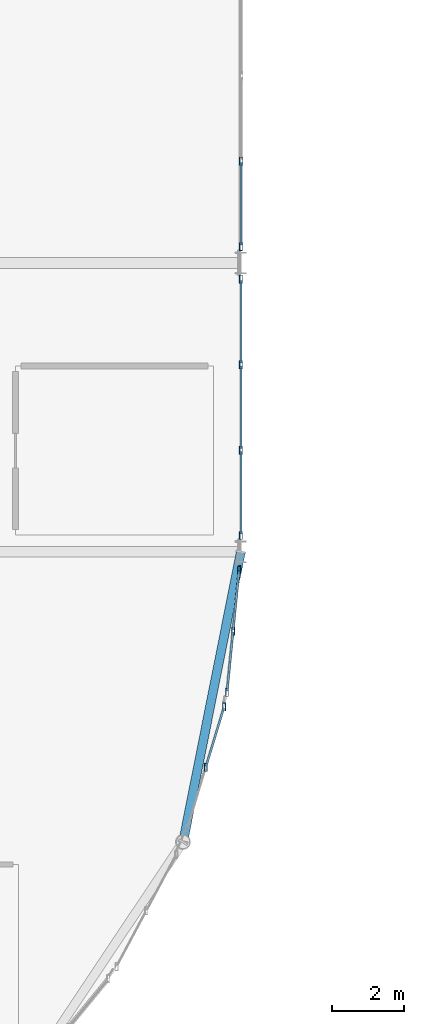
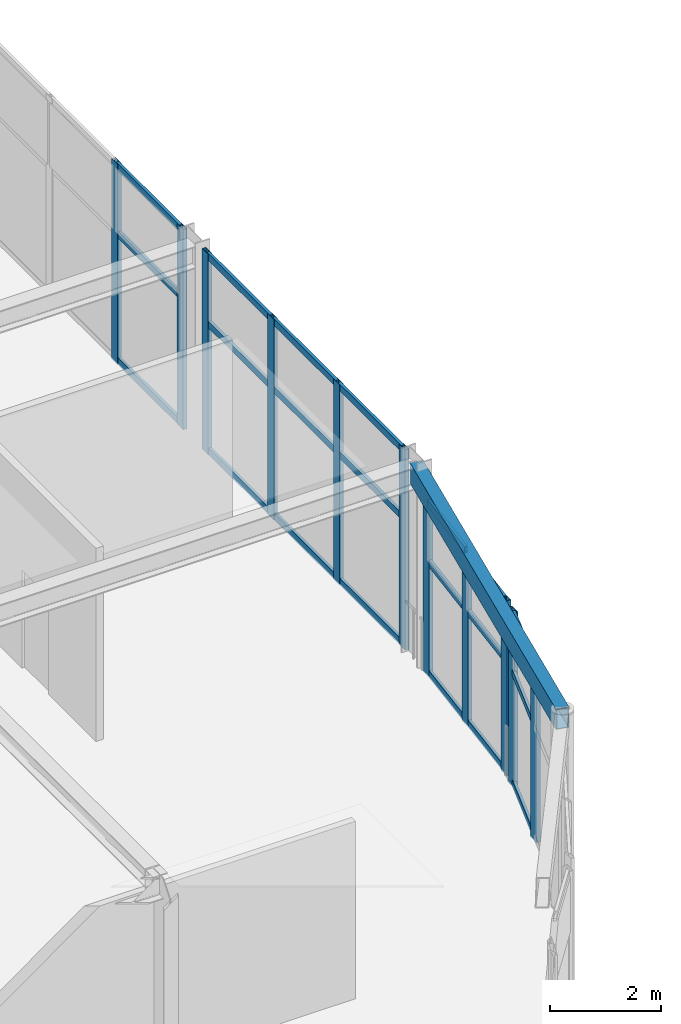
# One storey, part 39 of 105: 32 members, 1 beam, 4 elements without a shape of their own.
"""IFC4 building model written with IfcOpenShell, lengths in metres."""

import ifcopenshell
import ifcopenshell.guid

model = None  # the IFC model being written
_history = None  # IfcOwnerHistory: only IFC2X3 demands one
_inside = {}  # id of a spatial element -> (the spatial element, [elements in it])
_under = {}  # id of a project, library or spatial element -> (it, [spatial elements below it])
_declared = {}  # id of a project -> (the project, [libraries it declares])
_typed = {}  # id of a type object -> (the type object, [elements of that type])
_made_of = {}  # id of a material, layer set ... -> (it, [elements and type objects made of it])


def new_model(schema):
    """Start an empty IFC model of exactly this schema.

    Asked for "IFC4X3", IfcOpenShell would pick the latest addendum, in which some entities
    have other attributes; the version numbers below select the first issue.
    IFC2X3 requires an IfcOwnerHistory on every rooted entity: one is made here for all.
    """
    global model, _history
    if schema == "IFC4X3":
        model = ifcopenshell.file(schema_version=(4, 3, 0, 0))
    else:
        model = ifcopenshell.file(schema=schema)
    _inside.clear()
    _under.clear()
    _declared.clear()
    _typed.clear()
    _made_of.clear()
    _history = None
    if model.schema == "IFC2X3":
        org = make("IfcOrganization", Name="unknown")
        user = make(
            "IfcPersonAndOrganization",
            ThePerson=make("IfcPerson", FamilyName="unknown"),
            TheOrganization=org,
        )
        app = make(
            "IfcApplication",
            ApplicationDeveloper=org,
            Version="unknown",
            ApplicationFullName="unknown",
            ApplicationIdentifier="unknown",
        )
        _history = make(
            "IfcOwnerHistory",
            OwningUser=user,
            OwningApplication=app,
            ChangeAction="ADDED",
            CreationDate=0,
        )
    return model


def make(cls, **values):
    """One entity of the class cls with the attributes given. An attribute that is None is left unset."""
    return model.create_entity(
        cls, **{name: value for name, value in values.items() if value is not None}
    )


def rooted(cls, **values):
    """An entity with a GlobalId (a new one), such as an element, a storey or a relation."""
    return make(cls, GlobalId=ifcopenshell.guid.new(), OwnerHistory=_history, **values)


def si_unit(unit_type, name, prefix=None):
    """IfcSIUnit, for example si_unit("LENGTHUNIT", "METRE", prefix="MILLI")."""
    return make("IfcSIUnit", UnitType=unit_type, Prefix=prefix, Name=name)


def assignment(units):
    """IfcUnitAssignment: the units of a project."""
    return None if units is None else make("IfcUnitAssignment", Units=units)


def point(xyz):
    """IfcCartesianPoint."""
    return None if xyz is None else make("IfcCartesianPoint", Coordinates=xyz)


def direction(xyz):
    """IfcDirection."""
    return None if xyz is None else make("IfcDirection", DirectionRatios=xyz)


def frame(location, z_axis=None, x_axis=None):
    """IfcAxis2Placement3D, a coordinate frame: its origin and axes. An axis left out is left unset."""
    return make(
        "IfcAxis2Placement3D",
        Location=point(location),
        Axis=direction(z_axis),
        RefDirection=direction(x_axis),
    )


def frame_2d(location, x_axis=None):
    """IfcAxis2Placement2D, a coordinate frame in the plane: its origin and x axis."""
    return make(
        "IfcAxis2Placement2D", Location=point(location), RefDirection=direction(x_axis)
    )


def origin():
    """The frame at (0, 0, 0) with its axes left unset."""
    return frame((0.0, 0.0, 0.0))


def origin_2d():
    """The frame at (0, 0) in the plane with its x axis left unset."""
    return frame_2d((0.0, 0.0))


def place(relative_to, where):
    """IfcLocalPlacement: puts the frame where relative to a parent placement (None: the world)."""
    return make(
        "IfcLocalPlacement", PlacementRelTo=relative_to, RelativePlacement=where
    )


def context(
    kind, dimensions, precision=None, world=None, true_north=None, identifier=None
):
    """IfcGeometricRepresentationContext, for example the 3D "Model" context."""
    return make(
        "IfcGeometricRepresentationContext",
        ContextIdentifier=identifier,
        ContextType=kind,
        CoordinateSpaceDimension=dimensions,
        Precision=precision,
        WorldCoordinateSystem=world,
        TrueNorth=true_north,
    )


def subcontext(parent, identifier, kind, view, scale=None):
    """IfcGeometricRepresentationSubContext, for example "Body" below "Model"."""
    return make(
        "IfcGeometricRepresentationSubContext",
        ContextIdentifier=identifier,
        ContextType=kind,
        ParentContext=parent,
        TargetScale=scale,
        TargetView=view,
    )


def project(units=None, contexts=None):
    """IfcProject with its units and contexts."""
    return rooted(
        "IfcProject",
        Name="project",
        RepresentationContexts=contexts,
        UnitsInContext=assignment(units),
    )


def spatial(cls, under=None, at=None, **own):
    """A site, building, storey or space (cls), placed at a placement, below another one or the project."""
    s = rooted(cls, ObjectPlacement=at, **own)
    if under is not None:
        _under.setdefault(under.id(), (under, []))[1].append(s)
    return s


def profile(cls, at=None, kind="AREA", **sizes):
    """A parametric profile (cls). Its sizes go by their IFC names, for example OverallWidth=200.0."""
    return make(cls, ProfileType=kind, Position=at, **sizes)


def hollow_rectangle(**sizes):
    """IfcRectangleHollowProfileDef."""
    return profile("IfcRectangleHollowProfileDef", **sizes)


def extrude(swept, where, along, depth):
    """IfcExtrudedAreaSolid: the profile swept, set in the frame where, extruded along a direction by depth."""
    return make(
        "IfcExtrudedAreaSolid",
        SweptArea=swept,
        Position=where,
        ExtrudedDirection=direction(along),
        Depth=depth,
    )


def shape(context_of_items, identifier, shape_type, items):
    """IfcShapeRepresentation: the items that make up one representation, for example the "Body"."""
    return make(
        "IfcShapeRepresentation",
        ContextOfItems=context_of_items,
        RepresentationIdentifier=identifier,
        RepresentationType=shape_type,
        Items=items,
    )


def material(Name=None, Category=None):
    """IfcMaterial."""
    return make("IfcMaterial", Name=Name, Category=Category)


def layer(
    of_material, thickness, ventilated=None, Name=None, Category=None, Priority=None
):
    """IfcMaterialLayer: one layer of a wall or slab, of a material (None: an air gap)."""
    return make(
        "IfcMaterialLayer",
        Material=of_material,
        LayerThickness=thickness,
        IsVentilated=ventilated,
        Name=Name,
        Category=Category,
        Priority=Priority,
    )


def layer_set(layers, Name=None):
    """IfcMaterialLayerSet."""
    return make("IfcMaterialLayerSet", MaterialLayers=layers, LayerSetName=Name)


def material_profile(
    of_material, cross_section, Name=None, Category=None, Priority=None
):
    """IfcMaterialProfile: a cross section and its material."""
    return make(
        "IfcMaterialProfile",
        Name=Name,
        Material=of_material,
        Profile=cross_section,
        Priority=Priority,
        Category=Category,
    )


def profile_set(profiles, Name=None, composite=None):
    """IfcMaterialProfileSet."""
    return make(
        "IfcMaterialProfileSet",
        Name=Name,
        MaterialProfiles=profiles,
        CompositeProfile=composite,
    )


def made_of(thing, what):
    """Note that an element or type object is made of a material, layer set ...; save() writes the relation."""
    if what is not None:
        _made_of.setdefault(what.id(), (what, []))[1].append(thing)
    return thing


def type_object(cls, material=None, **own):
    """A type object (cls), such as IfcWallType, which elements share."""
    return made_of(rooted(cls, **own), material)


def element(
    cls,
    number,
    at=None,
    inside=None,
    cuts=None,
    type_object=None,
    material=None,
    context=None,
    identifier="Body",
    shape_type=None,
    held_by="IfcProductDefinitionShape",
    body=None,
    shapes=None,
    **own,
):
    """One element of the class cls, such as IfcWall. Its Tag is "e" and its number.

    at: its placement. inside: the storey or other place that contains it. cuts: it is an
    opening in that element (IfcRelVoidsElement). A single representation is given by context,
    identifier, shape_type and body (its items); several are given by shapes. held_by: the class
    of the entity that holds the representations. save() writes the other relations.
    """
    e = rooted(cls, Tag="e%d" % number, ObjectPlacement=at, **own)
    if body is not None:
        shapes = [shape(context, identifier, shape_type, body)]
    if shapes is not None:
        e.Representation = make(held_by, Representations=shapes)
    if inside is not None:
        _inside.setdefault(inside.id(), (inside, []))[1].append(e)
    if cuts is not None:
        rooted(
            "IfcRelVoidsElement", RelatingBuildingElement=cuts, RelatedOpeningElement=e
        )
    if type_object is not None:
        _typed.setdefault(type_object.id(), (type_object, []))[1].append(e)
    return made_of(e, material)


def aggregate(whole, parts):
    """IfcRelAggregates: a whole, such as a stair, and the parts it consists of."""
    return rooted("IfcRelAggregates", RelatingObject=whole, RelatedObjects=parts)


def save(model, path):
    """Write the relations noted so far, then the file.

    IfcRelAggregates (storeys below a building ...), IfcRelContainedInSpatialStructure (elements
    in a storey), IfcRelDefinesByType, IfcRelAssociatesMaterial and IfcRelDeclares: one each for
    every whole, place, type object, material and project.
    """
    for whole, parts in _under.values():
        aggregate(whole, parts)
    for where, things in _inside.values():
        rooted(
            "IfcRelContainedInSpatialStructure",
            RelatedElements=things,
            RelatingStructure=where,
        )
    for kind, things in _typed.values():
        rooted("IfcRelDefinesByType", RelatedObjects=things, RelatingType=kind)
    for what, things in _made_of.values():
        rooted("IfcRelAssociatesMaterial", RelatedObjects=things, RelatingMaterial=what)
    for by, libraries in _declared.values():
        rooted("IfcRelDeclares", RelatingContext=by, RelatedDefinitions=libraries)
    model.write(path)


model = new_model("IFC4")

# Units and contexts
model_context = context("Model", 3, precision=1e-05, world=origin(), true_north=direction((0.0, 1.0)))
body_context = subcontext(model_context, "Body", "Model", "MODEL_VIEW")
ifc_project = project(units=[si_unit("LENGTHUNIT", "METRE"), si_unit("AREAUNIT", "SQUARE_METRE"), si_unit("VOLUMEUNIT", "CUBIC_METRE"), si_unit("PLANEANGLEUNIT", "RADIAN"), si_unit("MASSUNIT", "GRAM", prefix="KILO")], contexts=[model_context])

# Site, building, storey
site_placement = place(None, origin())
site = spatial("IfcSite", under=ifc_project, at=site_placement, CompositionType="ELEMENT")
building_placement = place(site_placement, origin())
building = spatial("IfcBuilding", under=site, at=building_placement, Name="Marlcrest Central Station", CompositionType="ELEMENT")
storey_placement = place(building_placement, frame((0.0, 0.0, 15.0)))
storey = spatial("IfcBuildingStorey", under=building, at=storey_placement, Name="L03", CompositionType="ELEMENT", Elevation=15.0)

# Curtain wall, members
ifc_material_1 = material(Name="Anodised aluminium and hurricane laminated glass", Category="aluminium")
ifc_layer = layer(ifc_material_1, 0.219970703125, Name="CW-U1")
ifc_layer_set = layer_set([ifc_layer], Name="Anodised aluminium and hurricane laminated glass")
curtain_wall_type = type_object("IfcCurtainWallType", Name="CW-U1", PredefinedType="USERDEFINED", material=ifc_layer_set)
curtain_wall_1_placement = place(storey_placement, origin())
curtain_wall_1 = element("IfcCurtainWall", 1, at=curtain_wall_1_placement, inside=storey, type_object=curtain_wall_type, Name="cw-L03-0055", ObjectType="UNITISED_CURTAIN_WALL", PredefinedType="USERDEFINED")
ifc_material_2 = material(Name="Anodised aluminium 6063-T6", Category="aluminium")
ifc_material_profile_1 = material_profile(ifc_material_2, hollow_rectangle(XDim=0.080078125, YDim=0.219970703125, WallThickness=0.006103515625, at=origin_2d()), Name="AA-RHS 220x80x6")
ifc_profile_set_1 = profile_set([ifc_material_profile_1], Name="Anodised aluminium 6063-T6")
member_type_1 = type_object("IfcMemberType", Name="ML-01", PredefinedType="MULLION", material=ifc_profile_set_1)
member_1_placement = place(storey_placement, frame((128.5361328125, 18.2060546875, -0.030029296875), z_axis=(0.0, 0.0, 1.0), x_axis=(1.0, 0.0, 0.0)))
member_1 = element("IfcMember", 2, at=member_1_placement, type_object=member_type_1, Name="cw-L03-0055-ml-0", PredefinedType="MULLION", context=body_context, shape_type="SweptSolid", body=[
    extrude(hollow_rectangle(XDim=0.080078125, YDim=0.219970703125, WallThickness=0.006103515625, at=origin_2d()), origin(), (0.0, 0.0, 1.0), 3.860107421875),
])
member_2_placement = place(storey_placement, frame((128.02734375, 16.5283203125, -0.030029296875), z_axis=(0.0, 0.0, 1.0), x_axis=(1.0, 0.0, 0.0)))
member_2 = element("IfcMember", 3, at=member_2_placement, type_object=member_type_1, Name="cw-L03-0055-ml-1", PredefinedType="MULLION", context=body_context, shape_type="SweptSolid", body=[
    extrude(hollow_rectangle(XDim=0.080078125, YDim=0.219970703125, WallThickness=0.006103515625, at=origin_2d()), origin(), (0.0, 0.0, 1.0), 3.860107421875),
])

curtain_wall_2_placement = place(storey_placement, origin())
curtain_wall_2 = element("IfcCurtainWall", 4, at=curtain_wall_2_placement, inside=storey, type_object=curtain_wall_type, Name="cw-L03-0056", ObjectType="UNITISED_CURTAIN_WALL", PredefinedType="USERDEFINED")
member_3_placement = place(storey_placement, frame((128.950927734375, 22.001708984375, -0.030029296875), z_axis=(0.0, 0.0, 1.0), x_axis=(1.0, 0.0, 0.0)))
member_3 = element("IfcMember", 5, at=member_3_placement, type_object=member_type_1, Name="cw-L03-0056-ml-0", PredefinedType="MULLION", context=body_context, shape_type="SweptSolid", body=[
    extrude(hollow_rectangle(XDim=0.080078125, YDim=0.219970703125, WallThickness=0.006103515625, at=origin_2d()), origin(), (0.0, 0.0, 1.0), 3.860107421875),
])
member_4_placement = place(storey_placement, frame((128.783447265625, 20.3046875, -0.030029296875), z_axis=(0.0, 0.0, 1.0), x_axis=(1.0, 0.0, 0.0)))
member_4 = element("IfcMember", 6, at=member_4_placement, type_object=member_type_1, Name="cw-L03-0056-ml-1", PredefinedType="MULLION", context=body_context, shape_type="SweptSolid", body=[
    extrude(hollow_rectangle(XDim=0.080078125, YDim=0.219970703125, WallThickness=0.006103515625, at=origin_2d()), origin(), (0.0, 0.0, 1.0), 3.860107421875),
])
member_5_placement = place(storey_placement, frame((128.6162109375, 18.60791015625, -0.030029296875), z_axis=(0.0, 0.0, 1.0), x_axis=(1.0, 0.0, 0.0)))
member_5 = element("IfcMember", 7, at=member_5_placement, type_object=member_type_1, Name="cw-L03-0056-ml-2", PredefinedType="MULLION", context=body_context, shape_type="SweptSolid", body=[
    extrude(hollow_rectangle(XDim=0.080078125, YDim=0.219970703125, WallThickness=0.006103515625, at=origin_2d()), origin(), (0.0, 0.0, 1.0), 3.860107421875),
])

curtain_wall_3_placement = place(storey_placement, origin())
curtain_wall_3 = element("IfcCurtainWall", 8, at=curtain_wall_3_placement, inside=storey, type_object=curtain_wall_type, Name="cw-L03-0102", ObjectType="UNITISED_CURTAIN_WALL", PredefinedType="USERDEFINED")
member_6_placement = place(storey_placement, frame((129.0, 30.050048828125, -0.030029296875), z_axis=(0.0, 0.0, 1.0), x_axis=(1.0, 0.0, 0.0)))
member_6 = element("IfcMember", 9, at=member_6_placement, type_object=member_type_1, Name="cw-L03-0102-ml-0", PredefinedType="MULLION", context=body_context, shape_type="SweptSolid", body=[
    extrude(hollow_rectangle(XDim=0.080078125, YDim=0.219970703125, WallThickness=0.006103515625, at=origin_2d()), origin(), (0.0, 0.0, 1.0), 4.409912109375),
])
member_7_placement = place(storey_placement, frame((129.0, 27.683349609375, -0.030029296875), z_axis=(0.0, 0.0, 1.0), x_axis=(1.0, 0.0, 0.0)))
member_7 = element("IfcMember", 10, at=member_7_placement, type_object=member_type_1, Name="cw-L03-0102-ml-1", PredefinedType="MULLION", context=body_context, shape_type="SweptSolid", body=[
    extrude(hollow_rectangle(XDim=0.080078125, YDim=0.219970703125, WallThickness=0.006103515625, at=origin_2d()), origin(), (0.0, 0.0, 1.0), 4.409912109375),
])
member_8_placement = place(storey_placement, frame((129.0, 25.316650390625, -0.030029296875), z_axis=(0.0, 0.0, 1.0), x_axis=(1.0, 0.0, 0.0)))
member_8 = element("IfcMember", 11, at=member_8_placement, type_object=member_type_1, Name="cw-L03-0102-ml-2", PredefinedType="MULLION", context=body_context, shape_type="SweptSolid", body=[
    extrude(hollow_rectangle(XDim=0.080078125, YDim=0.219970703125, WallThickness=0.006103515625, at=origin_2d()), origin(), (0.0, 0.0, 1.0), 4.409912109375),
])
member_9_placement = place(storey_placement, frame((129.0, 22.949951171875, -0.030029296875), z_axis=(0.0, 0.0, 1.0), x_axis=(1.0, 0.0, 0.0)))
member_9 = element("IfcMember", 12, at=member_9_placement, type_object=member_type_1, Name="cw-L03-0102-ml-3", PredefinedType="MULLION", context=body_context, shape_type="SweptSolid", body=[
    extrude(hollow_rectangle(XDim=0.080078125, YDim=0.219970703125, WallThickness=0.006103515625, at=origin_2d()), origin(), (0.0, 0.0, 1.0), 4.409912109375),
])

curtain_wall_4_placement = place(storey_placement, origin())
curtain_wall_4 = element("IfcCurtainWall", 13, at=curtain_wall_4_placement, inside=storey, type_object=curtain_wall_type, Name="cw-L03-0106", ObjectType="UNITISED_CURTAIN_WALL", PredefinedType="USERDEFINED")
member_10_placement = place(storey_placement, frame((129.0, 33.316650390625, -0.030029296875), z_axis=(0.0, 0.0, 1.0), x_axis=(1.0, 0.0, 0.0)))
member_10 = element("IfcMember", 14, at=member_10_placement, type_object=member_type_1, Name="cw-L03-0106-ml-2", PredefinedType="MULLION", context=body_context, shape_type="SweptSolid", body=[
    extrude(hollow_rectangle(XDim=0.080078125, YDim=0.219970703125, WallThickness=0.006103515625, at=origin_2d()), origin(), (0.0, 0.0, 1.0), 4.409912109375),
])
member_11_placement = place(storey_placement, frame((129.0, 30.949951171875, -0.030029296875), z_axis=(0.0, 0.0, 1.0), x_axis=(1.0, 0.0, 0.0)))
member_11 = element("IfcMember", 15, at=member_11_placement, type_object=member_type_1, Name="cw-L03-0106-ml-3", PredefinedType="MULLION", context=body_context, shape_type="SweptSolid", body=[
    extrude(hollow_rectangle(XDim=0.080078125, YDim=0.219970703125, WallThickness=0.006103515625, at=origin_2d()), origin(), (0.0, 0.0, 1.0), 4.409912109375),
])

# Beam
ifc_material_3 = material(Name="Steel S355", Category="steel")
ifc_material_profile_2 = material_profile(ifc_material_3, hollow_rectangle(XDim=0.25, YDim=0.449951171875, WallThickness=0.01611328125, at=origin_2d()), Name="RHS 450x250x16")
ifc_profile_set_2 = profile_set([ifc_material_profile_2], Name="Steel S355")
beam_type = type_object("IfcBeamType", Name="SP-02", PredefinedType="SPANDREL", material=ifc_profile_set_2)
beam_placement = place(storey_placement, frame((127.40087890625, 14.464111328125, 4.10009765625), z_axis=(0.19517056122, 0.980769316421, 0.0), x_axis=(-0.980769316421, 0.19517056122, 0.0)))
element("IfcBeam", 16, at=beam_placement, inside=storey, type_object=beam_type, Name="bm-SP-02-L03-01412", PredefinedType="SPANDREL", context=body_context, shape_type="SweptSolid", body=[
    extrude(hollow_rectangle(XDim=0.25, YDim=0.449951171875, WallThickness=0.01611328125, at=origin_2d()), origin(), (0.0, 0.0, 1.0), 8.193359375),
])

# Member
ifc_material_profile_3 = material_profile(ifc_material_2, hollow_rectangle(XDim=0.06005859375, YDim=0.14990234375, WallThickness=0.00390625, at=origin_2d()), Name="AA-RHS 150x60x4")
ifc_profile_set_3 = profile_set([ifc_material_profile_3], Name="Anodised aluminium 6063-T6")
member_type_2 = type_object("IfcMemberType", Name="TR-01", PredefinedType="USERDEFINED", material=ifc_profile_set_3)
member_12_placement = place(storey_placement, frame((128.525146484375, 18.169677734375, 0.0400390625), z_axis=(-0.29025787087, -0.95694846695, 0.0), x_axis=(0.95694846695, -0.29025787087, 0.0)))
member_12 = element("IfcMember", 17, at=member_12_placement, type_object=member_type_2, Name="cw-L03-0055-tr-0-sill", ObjectType="TRANSOM", PredefinedType="USERDEFINED", context=body_context, shape_type="SweptSolid", body=[
    extrude(hollow_rectangle(XDim=0.06005859375, YDim=0.14990234375, WallThickness=0.00390625, at=origin_2d()), origin(), (0.0, 0.0, 1.0), 1.67724609375),
])

member_13_placement = place(storey_placement, frame((128.525146484375, 18.169677734375, 2.469970703125), z_axis=(-0.29025787087, -0.95694846695, 0.0), x_axis=(0.95694846695, -0.29025787087, 0.0)))
member_13 = element("IfcMember", 18, at=member_13_placement, type_object=member_type_2, Name="cw-L03-0055-tr-0-mid", ObjectType="TRANSOM", PredefinedType="USERDEFINED", context=body_context, shape_type="SweptSolid", body=[
    extrude(hollow_rectangle(XDim=0.06005859375, YDim=0.14990234375, WallThickness=0.00390625, at=origin_2d()), origin(), (0.0, 0.0, 1.0), 1.67724609375),
])

member_14_placement = place(storey_placement, frame((128.525146484375, 18.169677734375, 3.760009765625), z_axis=(-0.29025787087, -0.95694846695, 0.0), x_axis=(0.95694846695, -0.29025787087, 0.0)))
member_14 = element("IfcMember", 19, at=member_14_placement, type_object=member_type_2, Name="cw-L03-0055-tr-0-head", ObjectType="TRANSOM", PredefinedType="USERDEFINED", context=body_context, shape_type="SweptSolid", body=[
    extrude(hollow_rectangle(XDim=0.06005859375, YDim=0.14990234375, WallThickness=0.00390625, at=origin_2d()), origin(), (0.0, 0.0, 1.0), 1.67724609375),
])

aggregate(curtain_wall_1, [member_1, member_2, member_12, member_13, member_14])

member_15_placement = place(storey_placement, frame((128.947021484375, 21.9638671875, 0.0400390625), z_axis=(-0.098005057893, -0.995185916614, 0.0), x_axis=(0.995185916614, -0.098005057893, 0.0)))
member_15 = element("IfcMember", 20, at=member_15_placement, type_object=member_type_2, Name="cw-L03-0056-tr-0-sill", ObjectType="TRANSOM", PredefinedType="USERDEFINED", context=body_context, shape_type="SweptSolid", body=[
    extrude(hollow_rectangle(XDim=0.06005859375, YDim=0.14990234375, WallThickness=0.00390625, at=origin_2d()), origin(), (0.0, 0.0, 1.0), 1.629150390625),
])

member_16_placement = place(storey_placement, frame((128.947021484375, 21.9638671875, 2.469970703125), z_axis=(-0.098005057893, -0.995185916614, 0.0), x_axis=(0.995185916614, -0.098005057893, 0.0)))
member_16 = element("IfcMember", 21, at=member_16_placement, type_object=member_type_2, Name="cw-L03-0056-tr-0-mid", ObjectType="TRANSOM", PredefinedType="USERDEFINED", context=body_context, shape_type="SweptSolid", body=[
    extrude(hollow_rectangle(XDim=0.06005859375, YDim=0.14990234375, WallThickness=0.00390625, at=origin_2d()), origin(), (0.0, 0.0, 1.0), 1.629150390625),
])

member_17_placement = place(storey_placement, frame((128.947021484375, 21.9638671875, 3.760009765625), z_axis=(-0.098005057893, -0.995185916614, 0.0), x_axis=(0.995185916614, -0.098005057893, 0.0)))
member_17 = element("IfcMember", 22, at=member_17_placement, type_object=member_type_2, Name="cw-L03-0056-tr-0-head", ObjectType="TRANSOM", PredefinedType="USERDEFINED", context=body_context, shape_type="SweptSolid", body=[
    extrude(hollow_rectangle(XDim=0.06005859375, YDim=0.14990234375, WallThickness=0.00390625, at=origin_2d()), origin(), (0.0, 0.0, 1.0), 1.629150390625),
])

member_18_placement = place(storey_placement, frame((128.77978515625, 20.266845703125, 0.0400390625), z_axis=(-0.0981681098, -0.995169845915, 0.0), x_axis=(0.995169845915, -0.0981681098, 0.0)))
member_18 = element("IfcMember", 23, at=member_18_placement, type_object=member_type_2, Name="cw-L03-0056-tr-1-sill", ObjectType="TRANSOM", PredefinedType="USERDEFINED", context=body_context, shape_type="SweptSolid", body=[
    extrude(hollow_rectangle(XDim=0.06005859375, YDim=0.14990234375, WallThickness=0.00390625, at=origin_2d()), origin(), (0.0, 0.0, 1.0), 1.62890625),
])

member_19_placement = place(storey_placement, frame((128.77978515625, 20.266845703125, 2.469970703125), z_axis=(-0.0981681098, -0.995169845915, 0.0), x_axis=(0.995169845915, -0.0981681098, 0.0)))
member_19 = element("IfcMember", 24, at=member_19_placement, type_object=member_type_2, Name="cw-L03-0056-tr-1-mid", ObjectType="TRANSOM", PredefinedType="USERDEFINED", context=body_context, shape_type="SweptSolid", body=[
    extrude(hollow_rectangle(XDim=0.06005859375, YDim=0.14990234375, WallThickness=0.00390625, at=origin_2d()), origin(), (0.0, 0.0, 1.0), 1.62890625),
])

member_20_placement = place(storey_placement, frame((128.77978515625, 20.266845703125, 3.760009765625), z_axis=(-0.0981681098, -0.995169845915, 0.0), x_axis=(0.995169845915, -0.0981681098, 0.0)))
member_20 = element("IfcMember", 25, at=member_20_placement, type_object=member_type_2, Name="cw-L03-0056-tr-1-head", ObjectType="TRANSOM", PredefinedType="USERDEFINED", context=body_context, shape_type="SweptSolid", body=[
    extrude(hollow_rectangle(XDim=0.06005859375, YDim=0.14990234375, WallThickness=0.00390625, at=origin_2d()), origin(), (0.0, 0.0, 1.0), 1.62890625),
])

aggregate(curtain_wall_2, [member_3, member_4, member_5, member_15, member_16, member_17, member_18, member_19, member_20])

member_21_placement = place(storey_placement, frame((129.0, 30.011962890625, 0.0400390625), z_axis=(0.0, -1.0, 0.0), x_axis=(1.0, 0.0, 0.0)))
member_21 = element("IfcMember", 26, at=member_21_placement, type_object=member_type_2, Name="cw-L03-0102-tr-0-sill", ObjectType="TRANSOM", PredefinedType="USERDEFINED", context=body_context, shape_type="SweptSolid", body=[
    extrude(hollow_rectangle(XDim=0.06005859375, YDim=0.14990234375, WallThickness=0.00390625, at=origin_2d()), origin(), (0.0, 0.0, 1.0), 2.290771484375),
])

member_22_placement = place(storey_placement, frame((129.0, 30.011962890625, 2.827880859375), z_axis=(0.0, -1.0, 0.0), x_axis=(1.0, 0.0, 0.0)))
member_22 = element("IfcMember", 27, at=member_22_placement, type_object=member_type_2, Name="cw-L03-0102-tr-0-mid", ObjectType="TRANSOM", PredefinedType="USERDEFINED", context=body_context, shape_type="SweptSolid", body=[
    extrude(hollow_rectangle(XDim=0.06005859375, YDim=0.14990234375, WallThickness=0.00390625, at=origin_2d()), origin(), (0.0, 0.0, 1.0), 2.290771484375),
])

member_23_placement = place(storey_placement, frame((129.0, 30.011962890625, 4.31005859375), z_axis=(0.0, -1.0, 0.0), x_axis=(1.0, 0.0, 0.0)))
member_23 = element("IfcMember", 28, at=member_23_placement, type_object=member_type_2, Name="cw-L03-0102-tr-0-head", ObjectType="TRANSOM", PredefinedType="USERDEFINED", context=body_context, shape_type="SweptSolid", body=[
    extrude(hollow_rectangle(XDim=0.06005859375, YDim=0.14990234375, WallThickness=0.00390625, at=origin_2d()), origin(), (0.0, 0.0, 1.0), 2.290771484375),
])

member_24_placement = place(storey_placement, frame((129.0, 27.645263671875, 0.0400390625), z_axis=(0.0, -1.0, 0.0), x_axis=(1.0, 0.0, 0.0)))
member_24 = element("IfcMember", 29, at=member_24_placement, type_object=member_type_2, Name="cw-L03-0102-tr-1-sill", ObjectType="TRANSOM", PredefinedType="USERDEFINED", context=body_context, shape_type="SweptSolid", body=[
    extrude(hollow_rectangle(XDim=0.06005859375, YDim=0.14990234375, WallThickness=0.00390625, at=origin_2d()), origin(), (0.0, 0.0, 1.0), 2.29052734375),
])

member_25_placement = place(storey_placement, frame((129.0, 27.645263671875, 2.827880859375), z_axis=(0.0, -1.0, 0.0), x_axis=(1.0, 0.0, 0.0)))
member_25 = element("IfcMember", 30, at=member_25_placement, type_object=member_type_2, Name="cw-L03-0102-tr-1-mid", ObjectType="TRANSOM", PredefinedType="USERDEFINED", context=body_context, shape_type="SweptSolid", body=[
    extrude(hollow_rectangle(XDim=0.06005859375, YDim=0.14990234375, WallThickness=0.00390625, at=origin_2d()), origin(), (0.0, 0.0, 1.0), 2.29052734375),
])

member_26_placement = place(storey_placement, frame((129.0, 27.645263671875, 4.31005859375), z_axis=(0.0, -1.0, 0.0), x_axis=(1.0, 0.0, 0.0)))
member_26 = element("IfcMember", 31, at=member_26_placement, type_object=member_type_2, Name="cw-L03-0102-tr-1-head", ObjectType="TRANSOM", PredefinedType="USERDEFINED", context=body_context, shape_type="SweptSolid", body=[
    extrude(hollow_rectangle(XDim=0.06005859375, YDim=0.14990234375, WallThickness=0.00390625, at=origin_2d()), origin(), (0.0, 0.0, 1.0), 2.29052734375),
])

member_27_placement = place(storey_placement, frame((129.0, 25.27880859375, 0.0400390625), z_axis=(0.0, -1.0, 0.0), x_axis=(1.0, 0.0, 0.0)))
member_27 = element("IfcMember", 32, at=member_27_placement, type_object=member_type_2, Name="cw-L03-0102-tr-2-sill", ObjectType="TRANSOM", PredefinedType="USERDEFINED", context=body_context, shape_type="SweptSolid", body=[
    extrude(hollow_rectangle(XDim=0.06005859375, YDim=0.14990234375, WallThickness=0.00390625, at=origin_2d()), origin(), (0.0, 0.0, 1.0), 2.290771484375),
])

member_28_placement = place(storey_placement, frame((129.0, 25.27880859375, 2.827880859375), z_axis=(0.0, -1.0, 0.0), x_axis=(1.0, 0.0, 0.0)))
member_28 = element("IfcMember", 33, at=member_28_placement, type_object=member_type_2, Name="cw-L03-0102-tr-2-mid", ObjectType="TRANSOM", PredefinedType="USERDEFINED", context=body_context, shape_type="SweptSolid", body=[
    extrude(hollow_rectangle(XDim=0.06005859375, YDim=0.14990234375, WallThickness=0.00390625, at=origin_2d()), origin(), (0.0, 0.0, 1.0), 2.290771484375),
])

member_29_placement = place(storey_placement, frame((129.0, 25.27880859375, 4.31005859375), z_axis=(0.0, -1.0, 0.0), x_axis=(1.0, 0.0, 0.0)))
member_29 = element("IfcMember", 34, at=member_29_placement, type_object=member_type_2, Name="cw-L03-0102-tr-2-head", ObjectType="TRANSOM", PredefinedType="USERDEFINED", context=body_context, shape_type="SweptSolid", body=[
    extrude(hollow_rectangle(XDim=0.06005859375, YDim=0.14990234375, WallThickness=0.00390625, at=origin_2d()), origin(), (0.0, 0.0, 1.0), 2.290771484375),
])

aggregate(curtain_wall_3, [member_6, member_7, member_8, member_9, member_21, member_22, member_23, member_24, member_25, member_26, member_27, member_28, member_29])

member_30_placement = place(storey_placement, frame((129.0, 33.27880859375, 0.0400390625), z_axis=(0.0, -1.0, 0.0), x_axis=(1.0, 0.0, 0.0)))
member_30 = element("IfcMember", 35, at=member_30_placement, type_object=member_type_2, Name="cw-L03-0106-tr-2-sill", ObjectType="TRANSOM", PredefinedType="USERDEFINED", context=body_context, shape_type="SweptSolid", body=[
    extrude(hollow_rectangle(XDim=0.06005859375, YDim=0.14990234375, WallThickness=0.00390625, at=origin_2d()), origin(), (0.0, 0.0, 1.0), 2.290771484375),
])

member_31_placement = place(storey_placement, frame((129.0, 33.27880859375, 2.827880859375), z_axis=(0.0, -1.0, 0.0), x_axis=(1.0, 0.0, 0.0)))
member_31 = element("IfcMember", 36, at=member_31_placement, type_object=member_type_2, Name="cw-L03-0106-tr-2-mid", ObjectType="TRANSOM", PredefinedType="USERDEFINED", context=body_context, shape_type="SweptSolid", body=[
    extrude(hollow_rectangle(XDim=0.06005859375, YDim=0.14990234375, WallThickness=0.00390625, at=origin_2d()), origin(), (0.0, 0.0, 1.0), 2.290771484375),
])

member_32_placement = place(storey_placement, frame((129.0, 33.27880859375, 4.31005859375), z_axis=(0.0, -1.0, 0.0), x_axis=(1.0, 0.0, 0.0)))
member_32 = element("IfcMember", 37, at=member_32_placement, type_object=member_type_2, Name="cw-L03-0106-tr-2-head", ObjectType="TRANSOM", PredefinedType="USERDEFINED", context=body_context, shape_type="SweptSolid", body=[
    extrude(hollow_rectangle(XDim=0.06005859375, YDim=0.14990234375, WallThickness=0.00390625, at=origin_2d()), origin(), (0.0, 0.0, 1.0), 2.290771484375),
])

aggregate(curtain_wall_4, [member_10, member_11, member_30, member_31, member_32])

save(model, "model.ifc")
